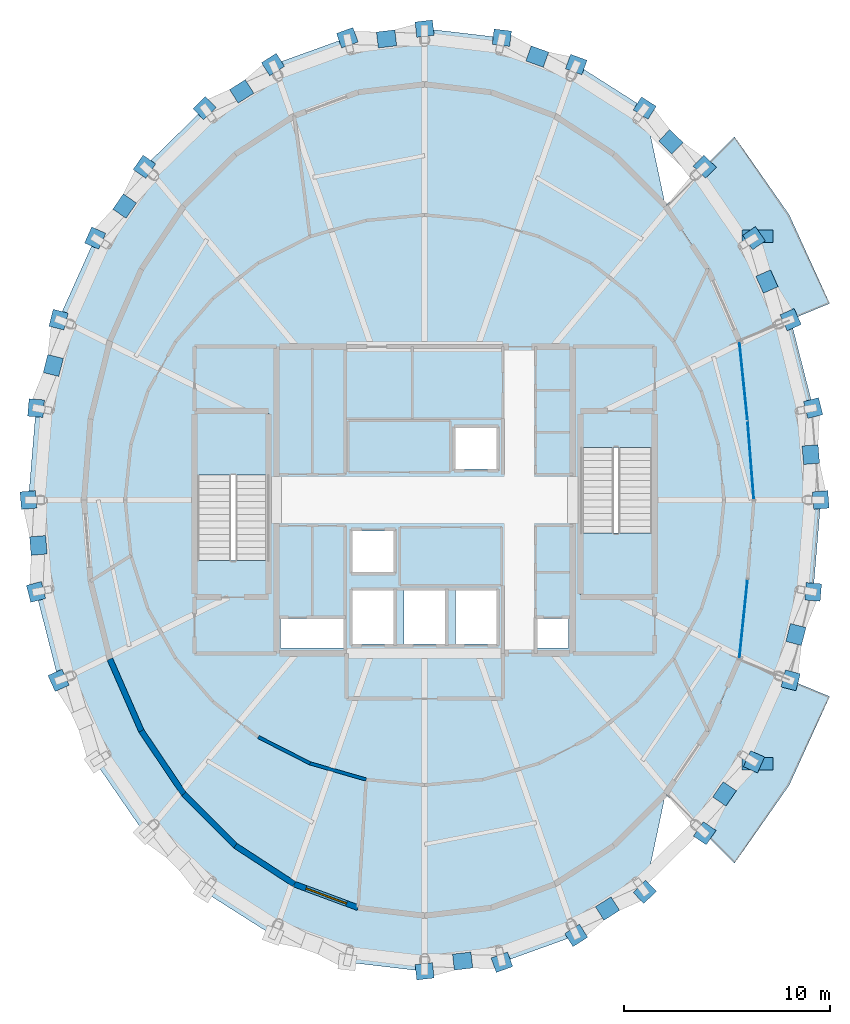
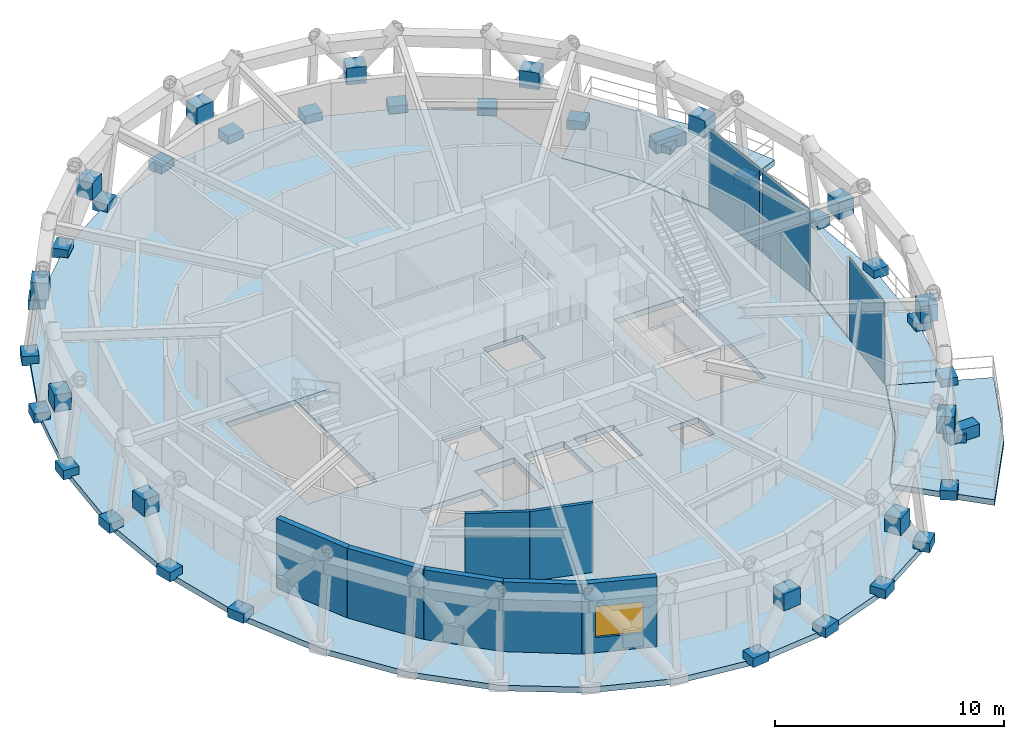
# One storey, part 6 of 11: 45 plates, 7 walls, 6 slabs, 1 window, 1 opening, 4 elements without a shape of their own.
"""IFC4 building model written with IfcOpenShell, lengths in metres."""

from ifc_helpers import new_model, si_unit, direction, frame, frame_2d, origin, origin_2d, place, context, subcontext, project, spatial, polyline, rectangle, outline, extrude, material, layer, layer_set, type_object, element, fill, aggregate, save


model = new_model("IFC4")

# Units and contexts
model_context = context("Model", 3, precision=1e-05, world=origin(), true_north=direction((0.0, 1.0)))
body_context = subcontext(model_context, "Body", "Model", "MODEL_VIEW")
ifc_project = project(units=[si_unit("LENGTHUNIT", "METRE"), si_unit("AREAUNIT", "SQUARE_METRE"), si_unit("VOLUMEUNIT", "CUBIC_METRE"), si_unit("PLANEANGLEUNIT", "RADIAN"), si_unit("MASSUNIT", "GRAM", prefix="KILO")], contexts=[model_context])

# Site, building, storey
site_placement = place(None, origin())
site = spatial("IfcSite", under=ifc_project, at=site_placement, CompositionType="ELEMENT")
building_placement = place(site_placement, origin())
building = spatial("IfcBuilding", under=site, at=building_placement, Name="Veldorina Hangang Commons", CompositionType="ELEMENT")
storey_placement = place(building_placement, frame((0.0, 0.0, 297.60009765625)))
storey = spatial("IfcBuildingStorey", under=building, at=storey_placement, Name="L78", CompositionType="ELEMENT", Elevation=297.60009765625)

# Curtain wall, plates
ifc_material_1 = material(Name="Glass Acoustic Laminated", Category="glass")
ifc_layer_1 = layer(ifc_material_1, 0.179931640625)
ifc_layer_set_1 = layer_set([ifc_layer_1], Name="Glass Acoustic Laminated")
curtain_wall_type = type_object("IfcCurtainWallType", Name="CW-SYS-SKY", PredefinedType="NOTDEFINED", material=ifc_layer_set_1)
curtain_wall_1_placement = place(storey_placement, origin())
curtain_wall_1 = element("IfcCurtainWall", 1, at=curtain_wall_1_placement, inside=storey, type_object=curtain_wall_type, Name="L78 unitised curtain wall CW-L78-R1", PredefinedType="NOTDEFINED")
ifc_material_2 = material(Name="Glass Low-E Triple IGU", Category="glass")
ifc_layer_2 = layer(ifc_material_2, 0.0400390625)
ifc_layer_set_2 = layer_set([ifc_layer_2], Name="Glass Low-E Triple IGU")
plate_type_1 = type_object("IfcPlateType", Name="CW-PNL-VIS", PredefinedType="CURTAIN_PANEL", material=ifc_layer_set_2)
plate_1_placement = place(storey_placement, frame((47.84619140625, 25.916748046875, 0.014892578125), z_axis=(0.0, 0.0, 1.0), x_axis=(-0.079937965483, 0.996799840326, 0.0)))
plate_1 = element("IfcPlate", 2, at=plate_1_placement, type_object=plate_type_1, Name="CW-L78-R1 facet 1 glazed vision panel", PredefinedType="CURTAIN_PANEL", context=body_context, shape_type="SweptSolid", body=[
    extrude(rectangle(XDim=3.665771484375, YDim=0.0400390625, at=origin_2d()), origin(), (0.0, 0.0, 1.0), 4.3701171875),
])
plate_2_placement = place(storey_placement, frame((47.491455078125, 29.78173828125, 0.014892578125), z_axis=(0.0, 0.0, 1.0), x_axis=(-0.10272309318, 0.994709990966, 0.0)))
plate_2 = element("IfcPlate", 3, at=plate_2_placement, type_object=plate_type_1, Name="CW-L78-R1 facet 2 glazed vision panel", PredefinedType="CURTAIN_PANEL", context=body_context, shape_type="SweptSolid", body=[
    extrude(rectangle(XDim=3.7373046875, YDim=0.0400390625, at=origin_2d()), origin(), (0.0, 0.0, 1.0), 4.3701171875),
])
aggregate(curtain_wall_1, [plate_1, plate_2])

# Curtain wall, plate
curtain_wall_2_placement = place(storey_placement, origin())
curtain_wall_2 = element("IfcCurtainWall", 4, at=curtain_wall_2_placement, inside=storey, type_object=curtain_wall_type, Name="L78 unitised curtain wall CW-L78-R2", PredefinedType="NOTDEFINED")
plate_3_placement = place(storey_placement, frame((47.491455078125, 18.21826171875, 0.014892578125), z_axis=(0.0, 0.0, 1.0), x_axis=(0.10272309318, 0.994709990966, 0.0)))
plate_3 = element("IfcPlate", 5, at=plate_3_placement, type_object=plate_type_1, Name="CW-L78-R2 facet 1 glazed vision panel", PredefinedType="CURTAIN_PANEL", context=body_context, shape_type="SweptSolid", body=[
    extrude(rectangle(XDim=3.7373046875, YDim=0.0400390625, at=origin_2d()), origin(), (0.0, 0.0, 1.0), 4.3701171875),
])
aggregate(curtain_wall_2, [plate_3])

# Plates
ifc_material_3 = material(Name="Steel SM460-TMC", Category="steel")
ifc_layer_3 = layer(ifc_material_3, 0.035888671875)
ifc_layer_set_3 = layer_set([ifc_layer_3], Name="Steel SM460-TMC")
plate_type_2 = type_object("IfcPlateType", Name="PL-STAR-36", PredefinedType="USERDEFINED", material=ifc_layer_set_3)
plate_4_placement = place(storey_placement, frame((51.25, 24.0, -0.090087890625), z_axis=(0.0, 0.0, 1.0), x_axis=(-0.082512516935, 0.996590028321, 0.0)))
element("IfcPlate", 6, at=plate_4_placement, inside=storey, type_object=plate_type_2, Name="L78 diagrid star-node gusset plate 00", ObjectType="GUSSET PLATE", PredefinedType="USERDEFINED", context=body_context, shape_type="SweptSolid", body=[
    extrude(rectangle(XDim=0.85009765625, YDim=0.75, at=origin_2d()), origin(), (0.0, 0.0, 1.0), 0.5),
])
plate_5_placement = place(storey_placement, frame((50.764892578125, 26.206787109375, 1.979248046875), z_axis=(0.0, 0.0, 1.0), x_axis=(-0.082512516935, 0.996590028321, 0.0)))
element("IfcPlate", 7, at=plate_5_placement, inside=storey, type_object=plate_type_2, Name="L78 diagrid X-crossing star-node gusset plate 00", ObjectType="GUSSET PLATE", PredefinedType="USERDEFINED", context=body_context, shape_type="SweptSolid", body=[
    extrude(rectangle(XDim=0.89990234375, YDim=0.780029296875, at=origin_2d()), origin(), (0.0, 0.0, 1.0), 0.89990234375),
])
for number, where, z_axis, x_axis, name in (
    (8, (50.880126953125, 28.467529296875, -0.090087890625), (0.0, 0.0, 1.0), (-0.247083574357, 0.968994172987, 0.0), "L78 diagrid star-node gusset plate 01"),
    (9, (49.78466796875, 32.763427734375, -0.090087890625), (0.0, 0.0, 1.0), (-0.409843434785, 0.912155885232, 0.0), "L78 diagrid star-node gusset plate 02"),
):
    element("IfcPlate", number, at=place(storey_placement, frame(where, z_axis=z_axis, x_axis=x_axis)), inside=storey, type_object=plate_type_2, Name=name, ObjectType="GUSSET PLATE", PredefinedType="USERDEFINED", context=body_context, shape_type="SweptSolid", body=[
        extrude(rectangle(XDim=0.85009765625, YDim=0.75, at=origin_2d()), origin(), (0.0, 0.0, 1.0), 0.5),
    ])
plate_6_placement = place(storey_placement, frame((48.63134765625, 34.613525390625, 1.98046875), z_axis=(0.0, 0.0, 1.0), x_axis=(-0.409843434785, 0.912155885232, 0.0)))
element("IfcPlate", 10, at=plate_6_placement, inside=storey, type_object=plate_type_2, Name="L78 diagrid X-crossing star-node gusset plate 02", ObjectType="GUSSET PLATE", PredefinedType="USERDEFINED", context=body_context, shape_type="SweptSolid", body=[
    extrude(rectangle(XDim=0.89990234375, YDim=0.780029296875, at=origin_2d()), origin(), (0.0, 0.0, 1.0), 0.89990234375),
])
for number, where, z_axis, x_axis, name in (
    (11, (48.005859375, 36.72265625, -0.090087890625), (0.0, 0.0, 1.0), (-0.567872477587, 0.823116546547, 0.0), "L78 diagrid star-node gusset plate 03"),
    (12, (45.61181640625, 40.192626953125, -0.090087890625), (0.0, 0.0, 1.0), (-0.715534249881, 0.698577652983, 0.0), "L78 diagrid star-node gusset plate 04"),
):
    element("IfcPlate", number, at=place(storey_placement, frame(where, z_axis=z_axis, x_axis=x_axis)), inside=storey, type_object=plate_type_2, Name=name, ObjectType="GUSSET PLATE", PredefinedType="USERDEFINED", context=body_context, shape_type="SweptSolid", body=[
        extrude(rectangle(XDim=0.85009765625, YDim=0.75, at=origin_2d()), origin(), (0.0, 0.0, 1.0), 0.5),
    ])
plate_7_placement = place(storey_placement, frame((43.9638671875, 41.40478515625, 1.983642578125), z_axis=(0.0, 0.0, 1.0), x_axis=(-0.715534249881, 0.698577652983, 0.0)))
element("IfcPlate", 13, at=plate_7_placement, inside=storey, type_object=plate_type_2, Name="L78 diagrid X-crossing star-node gusset plate 04", ObjectType="GUSSET PLATE", PredefinedType="USERDEFINED", context=body_context, shape_type="SweptSolid", body=[
    extrude(rectangle(XDim=0.89990234375, YDim=0.780029296875, at=origin_2d()), origin(), (0.0, 0.0, 1.0), 0.89990234375),
])
for number, where, z_axis, x_axis, name in (
    (14, (42.694580078125, 43.040771484375, -0.090087890625), (0.0, 0.0, 1.0), (-0.843860006976, 0.536563405971, 0.0), "L78 diagrid star-node gusset plate 05"),
    (15, (39.36669921875, 45.15673828125, -0.090087890625), (0.0, 0.0, 1.0), (-0.940626284052, 0.339443947877, 0.0), "L78 diagrid star-node gusset plate 06"),
):
    element("IfcPlate", number, at=place(storey_placement, frame(where, z_axis=z_axis, x_axis=x_axis)), inside=storey, type_object=plate_type_2, Name=name, ObjectType="GUSSET PLATE", PredefinedType="USERDEFINED", context=body_context, shape_type="SweptSolid", body=[
        extrude(rectangle(XDim=0.85009765625, YDim=0.75, at=origin_2d()), origin(), (0.0, 0.0, 1.0), 0.5),
    ])
plate_8_placement = place(storey_placement, frame((37.473876953125, 45.544677734375, 1.987060546875), z_axis=(0.0, 0.0, 1.0), x_axis=(-0.940626284052, 0.339443947877, 0.0)))
element("IfcPlate", 16, at=plate_8_placement, inside=storey, type_object=plate_type_2, Name="L78 diagrid X-crossing star-node gusset plate 06", ObjectType="GUSSET PLATE", PredefinedType="USERDEFINED", context=body_context, shape_type="SweptSolid", body=[
    extrude(rectangle(XDim=0.89990234375, YDim=0.780029296875, at=origin_2d()), origin(), (0.0, 0.0, 1.0), 0.89990234375),
])
for number, where, z_axis, x_axis, name in (
    (17, (35.755615234375, 46.4599609375, -0.090087890625), (0.0, 0.0, 1.0), (-0.99320725372, 0.116358717585, 0.0), "L78 diagrid star-node gusset plate 07"),
    (18, (32.0, 46.89990234375, -0.090087890625), (0.0, 0.0, 1.0), (-0.99320725372, -0.116358717585, 0.0), "L78 diagrid star-node gusset plate 08"),
):
    element("IfcPlate", number, at=place(storey_placement, frame(where, z_axis=z_axis, x_axis=x_axis)), inside=storey, type_object=plate_type_2, Name=name, ObjectType="GUSSET PLATE", PredefinedType="USERDEFINED", context=body_context, shape_type="SweptSolid", body=[
        extrude(rectangle(XDim=0.85009765625, YDim=0.75, at=origin_2d()), origin(), (0.0, 0.0, 1.0), 0.5),
    ])
plate_9_placement = place(storey_placement, frame((30.152099609375, 46.402587890625, 1.98779296875), z_axis=(0.0, 0.0, 1.0), x_axis=(-0.99320725372, -0.116358717585, 0.0)))
element("IfcPlate", 19, at=plate_9_placement, inside=storey, type_object=plate_type_2, Name="L78 diagrid X-crossing star-node gusset plate 08", ObjectType="GUSSET PLATE", PredefinedType="USERDEFINED", context=body_context, shape_type="SweptSolid", body=[
    extrude(rectangle(XDim=0.89990234375, YDim=0.780029296875, at=origin_2d()), origin(), (0.0, 0.0, 1.0), 0.89990234375),
])
for number, where, z_axis, x_axis, name in (
    (20, (28.244384765625, 46.4599609375, -0.090087890625), (0.0, 0.0, 1.0), (-0.940626284052, -0.339443947877, 0.0), "L78 diagrid star-node gusset plate 09"),
    (21, (24.63330078125, 45.15673828125, -0.090087890625), (0.0, 0.0, 1.0), (-0.843860006976, -0.536563405971, 0.0), "L78 diagrid star-node gusset plate 10"),
):
    element("IfcPlate", number, at=place(storey_placement, frame(where, z_axis=z_axis, x_axis=x_axis)), inside=storey, type_object=plate_type_2, Name=name, ObjectType="GUSSET PLATE", PredefinedType="USERDEFINED", context=body_context, shape_type="SweptSolid", body=[
        extrude(rectangle(XDim=0.85009765625, YDim=0.75, at=origin_2d()), origin(), (0.0, 0.0, 1.0), 0.5),
    ])
plate_10_placement = place(storey_placement, frame((23.114013671875, 43.85107421875, 1.9853515625), z_axis=(0.0, 0.0, 1.0), x_axis=(-0.843860006976, -0.536563405971, 0.0)))
element("IfcPlate", 22, at=plate_10_placement, inside=storey, type_object=plate_type_2, Name="L78 diagrid X-crossing star-node gusset plate 10", ObjectType="GUSSET PLATE", PredefinedType="USERDEFINED", context=body_context, shape_type="SweptSolid", body=[
    extrude(rectangle(XDim=0.89990234375, YDim=0.780029296875, at=origin_2d()), origin(), (0.0, 0.0, 1.0), 0.89990234375),
])
for number, where, z_axis, x_axis, name in (
    (23, (21.305419921875, 43.040771484375, -0.090087890625), (0.0, 0.0, 1.0), (-0.715534249881, -0.698577652983, 0.0), "L78 diagrid star-node gusset plate 11"),
    (24, (18.38818359375, 40.192626953125, -0.090087890625), (0.0, 0.0, 1.0), (-0.567872477587, -0.823116546547, 0.0), "L78 diagrid star-node gusset plate 12"),
):
    element("IfcPlate", number, at=place(storey_placement, frame(where, z_axis=z_axis, x_axis=x_axis)), inside=storey, type_object=plate_type_2, Name=name, ObjectType="GUSSET PLATE", PredefinedType="USERDEFINED", context=body_context, shape_type="SweptSolid", body=[
        extrude(rectangle(XDim=0.85009765625, YDim=0.75, at=origin_2d()), origin(), (0.0, 0.0, 1.0), 0.5),
    ])
plate_11_placement = place(storey_placement, frame((17.427978515625, 38.27978515625, 1.98193359375), z_axis=(0.0, 0.0, 1.0), x_axis=(-0.567872477587, -0.823116546547, 0.0)))
element("IfcPlate", 25, at=plate_11_placement, inside=storey, type_object=plate_type_2, Name="L78 diagrid X-crossing star-node gusset plate 12", ObjectType="GUSSET PLATE", PredefinedType="USERDEFINED", context=body_context, shape_type="SweptSolid", body=[
    extrude(rectangle(XDim=0.89990234375, YDim=0.780029296875, at=origin_2d()), origin(), (0.0, 0.0, 1.0), 0.89990234375),
])
for number, where, z_axis, x_axis, name in (
    (26, (15.994140625, 36.72265625, -0.090087890625), (0.0, 0.0, 1.0), (-0.409843434785, -0.912155885232, 0.0), "L78 diagrid star-node gusset plate 13"),
    (27, (14.21533203125, 32.763427734375, -0.090087890625), (0.0, 0.0, 1.0), (-0.247083574357, -0.968994172987, 0.0), "L78 diagrid star-node gusset plate 14"),
):
    element("IfcPlate", number, at=place(storey_placement, frame(where, z_axis=z_axis, x_axis=x_axis)), inside=storey, type_object=plate_type_2, Name=name, ObjectType="GUSSET PLATE", PredefinedType="USERDEFINED", context=body_context, shape_type="SweptSolid", body=[
        extrude(rectangle(XDim=0.85009765625, YDim=0.75, at=origin_2d()), origin(), (0.0, 0.0, 1.0), 0.5),
    ])
plate_12_placement = place(storey_placement, frame((13.958740234375, 30.53466796875, 1.979736328125), z_axis=(0.0, 0.0, 1.0), x_axis=(-0.247083574357, -0.968994172987, 0.0)))
element("IfcPlate", 28, at=plate_12_placement, inside=storey, type_object=plate_type_2, Name="L78 diagrid X-crossing star-node gusset plate 14", ObjectType="GUSSET PLATE", PredefinedType="USERDEFINED", context=body_context, shape_type="SweptSolid", body=[
    extrude(rectangle(XDim=0.89990234375, YDim=0.780029296875, at=origin_2d()), origin(), (0.0, 0.0, 1.0), 0.89990234375),
])
for number, where, z_axis, x_axis, name in (
    (29, (13.119873046875, 28.467529296875, -0.090087890625), (0.0, 0.0, 1.0), (-0.082512516935, -0.996590028321, 0.0), "L78 diagrid star-node gusset plate 15"),
    (30, (12.75, 24.0, -0.090087890625), (0.0, 0.0, 1.0), (0.082512516935, -0.996590028321, 0.0), "L78 diagrid star-node gusset plate 16"),
):
    element("IfcPlate", number, at=place(storey_placement, frame(where, z_axis=z_axis, x_axis=x_axis)), inside=storey, type_object=plate_type_2, Name=name, ObjectType="GUSSET PLATE", PredefinedType="USERDEFINED", context=body_context, shape_type="SweptSolid", body=[
        extrude(rectangle(XDim=0.85009765625, YDim=0.75, at=origin_2d()), origin(), (0.0, 0.0, 1.0), 0.5),
    ])
plate_13_placement = place(storey_placement, frame((13.235107421875, 21.793212890625, 1.979248046875), z_axis=(0.0, 0.0, 1.0), x_axis=(0.082512516935, -0.996590028321, 0.0)))
element("IfcPlate", 31, at=plate_13_placement, inside=storey, type_object=plate_type_2, Name="L78 diagrid X-crossing star-node gusset plate 16", ObjectType="GUSSET PLATE", PredefinedType="USERDEFINED", context=body_context, shape_type="SweptSolid", body=[
    extrude(rectangle(XDim=0.89990234375, YDim=0.780029296875, at=origin_2d()), origin(), (0.0, 0.0, 1.0), 0.89990234375),
])
for number, where, z_axis, x_axis, name in (
    (32, (13.119873046875, 19.532470703125, -0.090087890625), (0.0, 0.0, 1.0), (0.247083574357, -0.968994172987, 0.0), "L78 diagrid star-node gusset plate 17"),
    (33, (14.21533203125, 15.236572265625, -0.090087890625), (0.0, 0.0, 1.0), (0.409843434785, -0.912155885232, 0.0), "L78 diagrid star-node gusset plate 18"),
    (34, (32.0, 1.10009765625, -0.090087890625), (0.0, 0.0, 1.0), (0.99320725372, 0.116358717585, 0.0), "L78 diagrid star-node gusset plate 24"),
):
    element("IfcPlate", number, at=place(storey_placement, frame(where, z_axis=z_axis, x_axis=x_axis)), inside=storey, type_object=plate_type_2, Name=name, ObjectType="GUSSET PLATE", PredefinedType="USERDEFINED", context=body_context, shape_type="SweptSolid", body=[
        extrude(rectangle(XDim=0.85009765625, YDim=0.75, at=origin_2d()), origin(), (0.0, 0.0, 1.0), 0.5),
    ])
plate_14_placement = place(storey_placement, frame((33.847900390625, 1.597412109375, 1.98779296875), z_axis=(0.0, 0.0, 1.0), x_axis=(0.99320725372, 0.116358717585, 0.0)))
element("IfcPlate", 35, at=plate_14_placement, inside=storey, type_object=plate_type_2, Name="L78 diagrid X-crossing star-node gusset plate 24", ObjectType="GUSSET PLATE", PredefinedType="USERDEFINED", context=body_context, shape_type="SweptSolid", body=[
    extrude(rectangle(XDim=0.89990234375, YDim=0.780029296875, at=origin_2d()), origin(), (0.0, 0.0, 1.0), 0.89990234375),
])
for number, where, z_axis, x_axis, name in (
    (36, (35.755615234375, 1.5400390625, -0.090087890625), (0.0, 0.0, 1.0), (0.940626284052, 0.339443947877, 0.0), "L78 diagrid star-node gusset plate 25"),
    (37, (39.36669921875, 2.84326171875, -0.090087890625), (0.0, 0.0, 1.0), (0.843860006976, 0.536563405971, 0.0), "L78 diagrid star-node gusset plate 26"),
):
    element("IfcPlate", number, at=place(storey_placement, frame(where, z_axis=z_axis, x_axis=x_axis)), inside=storey, type_object=plate_type_2, Name=name, ObjectType="GUSSET PLATE", PredefinedType="USERDEFINED", context=body_context, shape_type="SweptSolid", body=[
        extrude(rectangle(XDim=0.85009765625, YDim=0.75, at=origin_2d()), origin(), (0.0, 0.0, 1.0), 0.5),
    ])
plate_15_placement = place(storey_placement, frame((40.885986328125, 4.14892578125, 1.9853515625), z_axis=(0.0, 0.0, 1.0), x_axis=(0.843860006976, 0.536563405971, 0.0)))
element("IfcPlate", 38, at=plate_15_placement, inside=storey, type_object=plate_type_2, Name="L78 diagrid X-crossing star-node gusset plate 26", ObjectType="GUSSET PLATE", PredefinedType="USERDEFINED", context=body_context, shape_type="SweptSolid", body=[
    extrude(rectangle(XDim=0.89990234375, YDim=0.780029296875, at=origin_2d()), origin(), (0.0, 0.0, 1.0), 0.89990234375),
])
for number, where, z_axis, x_axis, name in (
    (39, (42.694580078125, 4.959228515625, -0.090087890625), (0.0, 0.0, 1.0), (0.715534249881, 0.698577652983, 0.0), "L78 diagrid star-node gusset plate 27"),
    (40, (45.61181640625, 7.807373046875, -0.090087890625), (0.0, 0.0, 1.0), (0.567872477587, 0.823116546547, 0.0), "L78 diagrid star-node gusset plate 28"),
):
    element("IfcPlate", number, at=place(storey_placement, frame(where, z_axis=z_axis, x_axis=x_axis)), inside=storey, type_object=plate_type_2, Name=name, ObjectType="GUSSET PLATE", PredefinedType="USERDEFINED", context=body_context, shape_type="SweptSolid", body=[
        extrude(rectangle(XDim=0.85009765625, YDim=0.75, at=origin_2d()), origin(), (0.0, 0.0, 1.0), 0.5),
    ])
plate_16_placement = place(storey_placement, frame((46.572021484375, 9.72021484375, 1.98193359375), z_axis=(0.0, 0.0, 1.0), x_axis=(0.567872477587, 0.823116546547, 0.0)))
element("IfcPlate", 41, at=plate_16_placement, inside=storey, type_object=plate_type_2, Name="L78 diagrid X-crossing star-node gusset plate 28", ObjectType="GUSSET PLATE", PredefinedType="USERDEFINED", context=body_context, shape_type="SweptSolid", body=[
    extrude(rectangle(XDim=0.89990234375, YDim=0.780029296875, at=origin_2d()), origin(), (0.0, 0.0, 1.0), 0.89990234375),
])
for number, where, z_axis, x_axis, name in (
    (42, (48.005859375, 11.27734375, -0.090087890625), (0.0, 0.0, 1.0), (0.409843434785, 0.912155885232, 0.0), "L78 diagrid star-node gusset plate 29"),
    (43, (49.78466796875, 15.236572265625, -0.090087890625), (0.0, 0.0, 1.0), (0.247083574357, 0.968994172987, 0.0), "L78 diagrid star-node gusset plate 30"),
):
    element("IfcPlate", number, at=place(storey_placement, frame(where, z_axis=z_axis, x_axis=x_axis)), inside=storey, type_object=plate_type_2, Name=name, ObjectType="GUSSET PLATE", PredefinedType="USERDEFINED", context=body_context, shape_type="SweptSolid", body=[
        extrude(rectangle(XDim=0.85009765625, YDim=0.75, at=origin_2d()), origin(), (0.0, 0.0, 1.0), 0.5),
    ])
plate_17_placement = place(storey_placement, frame((50.041259765625, 17.46533203125, 1.979736328125), z_axis=(0.0, 0.0, 1.0), x_axis=(0.247083574357, 0.968994172987, 0.0)))
element("IfcPlate", 44, at=plate_17_placement, inside=storey, type_object=plate_type_2, Name="L78 diagrid X-crossing star-node gusset plate 30", ObjectType="GUSSET PLATE", PredefinedType="USERDEFINED", context=body_context, shape_type="SweptSolid", body=[
    extrude(rectangle(XDim=0.89990234375, YDim=0.780029296875, at=origin_2d()), origin(), (0.0, 0.0, 1.0), 0.89990234375),
])
plate_18_placement = place(storey_placement, frame((50.880126953125, 19.532470703125, -0.090087890625), z_axis=(0.0, 0.0, 1.0), x_axis=(0.082512516935, 0.996590028321, 0.0)))
element("IfcPlate", 45, at=plate_18_placement, inside=storey, type_object=plate_type_2, Name="L78 diagrid star-node gusset plate 31", ObjectType="GUSSET PLATE", PredefinedType="USERDEFINED", context=body_context, shape_type="SweptSolid", body=[
    extrude(rectangle(XDim=0.85009765625, YDim=0.75, at=origin_2d()), origin(), (0.0, 0.0, 1.0), 0.5),
])
ifc_material_4 = material(Name="Stone Roman Travertine", Category="masonry")
ifc_layer_4 = layer(ifc_material_4, 0.64990234375)
ifc_layer_set_4 = layer_set([ifc_layer_4], Name="Stone Roman Travertine")
plate_type_3 = type_object("IfcPlateType", Name="PLN-TBAL-1800", PredefinedType="USERDEFINED", material=ifc_layer_set_4)
for number, where, z_axis, x_axis, name in (
    (46, (48.172607421875, 11.19189453125, 0.0), (0.0, 0.0, 1.0), (1.0, 0.0, 0.0), "L78 TREE BALCONY PLANTER 1"),
    (47, (48.172607421875, 36.80810546875, 0.0), (0.0, 0.0, 1.0), (1.0, 0.0, 0.0), "L78 TREE BALCONY PLANTER 2"),
):
    element("IfcPlate", number, at=place(storey_placement, frame(where, z_axis=z_axis, x_axis=x_axis)), inside=storey, type_object=plate_type_3, Name=name, ObjectType="PLANTER", PredefinedType="USERDEFINED", context=body_context, shape_type="SweptSolid", body=[
        extrude(rectangle(XDim=1.5, YDim=0.60009765625, at=origin_2d()), origin(), (0.0, 0.0, 1.0), 0.64990234375),
    ])

# Slabs
ifc_material_5 = material(Name="Concrete C45/55", Category="concrete")
ifc_layer_5 = layer(ifc_material_5, 0.300048828125)
ifc_layer_set_5 = layer_set([ifc_layer_5], Name="Concrete C45/55")
slab_type_1 = type_object("IfcSlabType", Name="SL-FLR-300", PredefinedType="FLOOR", material=ifc_layer_set_5)
slab_1_placement = place(storey_placement, frame((0.0, 0.0, -0.300048828125)))
element("IfcSlab", 48, at=slab_1_placement, inside=storey, type_object=slab_type_1, Name="L78 tower structural floor slab", PredefinedType="FLOOR", context=body_context, shape_type="SweptSolid", body=[
    extrude(outline(polyline([(48.0, 24.0), (47.692626953125, 27.83349609375), (47.290283203125, 31.730224609375), (45.7607421875, 35.222412109375), (43.70263671875, 38.28369140625), (42.694580078125, 43.040771484375), (39.36669921875, 45.15673828125), (35.755615234375, 46.4599609375), (32.0, 46.89990234375), (28.244384765625, 46.4599609375), (24.63330078125, 45.15673828125), (21.305419921875, 43.040771484375), (18.38818359375, 40.192626953125), (15.994140625, 36.72265625), (14.21533203125, 32.763427734375), (13.119873046875, 28.467529296875), (12.75, 24.0), (13.119873046875, 19.532470703125), (14.21533203125, 15.236572265625), (15.994140625, 11.27734375), (18.38818359375, 7.807373046875), (21.305419921875, 4.959228515625), (24.63330078125, 2.84326171875), (28.244384765625, 1.5400390625), (32.0, 1.10009765625), (35.755615234375, 1.5400390625), (39.36669921875, 2.84326171875), (42.694580078125, 4.959228515625), (43.70263671875, 9.71630859375), (45.7607421875, 12.777587890625), (47.290283203125, 16.269775390625), (47.692626953125, 20.16650390625), (48.0, 24.0)]), holes=[polyline([(20.949951171875, 21.05810546875), (20.949951171875, 28.199951171875), (24.449951171875, 28.199951171875), (24.449951171875, 21.05810546875), (20.949951171875, 21.05810546875)]), polyline([(43.050048828125, 26.5419921875), (43.050048828125, 19.39990234375), (39.550048828125, 19.39990234375), (39.550048828125, 26.5419921875), (43.050048828125, 26.5419921875)]), polyline([(33.5, 27.5), (35.5, 27.5), (35.5, 25.5), (33.5, 25.5), (33.5, 27.5)]), polyline([(28.5, 22.5), (30.5, 22.5), (30.5, 20.5), (28.5, 20.5), (28.5, 22.5)]), polyline([(28.5, 19.60009765625), (30.5, 19.60009765625), (30.5, 17.0), (28.5, 17.0), (28.5, 19.60009765625)]), polyline([(31.0, 19.60009765625), (33.0, 19.60009765625), (33.0, 17.0), (31.0, 17.0), (31.0, 19.60009765625)]), polyline([(33.5, 19.60009765625), (35.5, 19.60009765625), (35.5, 17.0), (33.5, 17.0), (33.5, 19.60009765625)]), polyline([(25.0, 18.25), (28.10009765625, 18.25), (28.10009765625, 16.800048828125), (25.0, 16.800048828125), (25.0, 18.25)]), polyline([(37.449951171875, 18.25), (39.0, 18.25), (39.0, 16.800048828125), (37.449951171875, 16.800048828125), (37.449951171875, 18.25)])]), origin(), (0.0, 0.0, 1.0), 0.300048828125),
])
slab_2_placement = place(storey_placement, frame((0.0, 0.0, -0.300048828125)))
element("IfcSlab", 49, at=slab_2_placement, inside=storey, type_object=slab_type_1, Name="L78 sky-garden loggia outdoor slab", PredefinedType="FLOOR", context=body_context, shape_type="SweptSolid", body=[
    extrude(outline(polyline([(49.78466796875, 32.763427734375), (50.880126953125, 28.467529296875), (51.25, 24.0), (50.880126953125, 19.532470703125), (49.78466796875, 15.236572265625), (47.303955078125, 16.26416015625), (47.304443359375, 16.26513671875), (47.304931640625, 16.2666015625), (47.30517578125, 16.268310546875), (47.70751953125, 20.1650390625), (47.70751953125, 20.165283203125), (48.014892578125, 23.998779296875), (48.014892578125, 24.0), (48.014892578125, 24.001220703125), (47.70751953125, 27.834716796875), (47.70751953125, 27.8349609375), (47.30517578125, 31.731689453125), (47.304931640625, 31.7333984375), (47.304443359375, 31.73486328125), (47.303955078125, 31.73583984375), (49.78466796875, 32.763427734375)])), origin(), (0.0, 0.0, 1.0), 0.300048828125),
])
slab_3_placement = place(storey_placement, frame((0.0, 0.0, -0.300048828125)))
element("IfcSlab", 50, at=slab_3_placement, inside=storey, type_object=slab_type_1, Name="L78 planted tree balcony slab 1", PredefinedType="FLOOR", context=body_context, shape_type="SweptSolid", body=[
    extrude(outline(polyline([(45.777587890625, 12.766357421875), (47.30859375, 16.26220703125), (51.6787109375, 14.451904296875), (49.710205078125, 10.138427734375), (47.061279296875, 6.357666015625), (43.716796875, 9.702392578125), (45.777587890625, 12.766357421875)])), origin(), (0.0, 0.0, 1.0), 0.300048828125),
])
slab_4_placement = place(storey_placement, frame((0.0, 0.0, -0.300048828125)))
element("IfcSlab", 51, at=slab_4_placement, inside=storey, type_object=slab_type_1, Name="L78 planted tree balcony slab 2", PredefinedType="FLOOR", context=body_context, shape_type="SweptSolid", body=[
    extrude(outline(polyline([(45.777587890625, 35.233642578125), (43.716796875, 38.297607421875), (47.061279296875, 41.642333984375), (49.710205078125, 37.861572265625), (51.6787109375, 33.548095703125), (47.30859375, 31.73779296875), (45.777587890625, 35.233642578125)])), origin(), (0.0, 0.0, 1.0), 0.300048828125),
])

# Stair, slab
ifc_material_6 = material(Name="Concrete C40/50", Category="concrete")
stair_type = type_object("IfcStairType", Name="STR-DOG-1650-28R", PredefinedType="HALF_TURN_STAIR", material=ifc_material_6)
stair_1_placement = place(storey_placement, origin())
stair_1 = element("IfcStair", 52, at=stair_1_placement, inside=storey, type_object=stair_type, Name="L78 Exit stair ST-1", PredefinedType="HALF_TURN_STAIR")
ifc_layer_6 = layer(ifc_material_6, 0.199951171875)
ifc_layer_set_6 = layer_set([ifc_layer_6], Name="Concrete C40/50")
slab_type_2 = type_object("IfcSlabType", Name="SL-LND-200", PredefinedType="LANDING", material=ifc_layer_set_6)
slab_5_placement = place(storey_placement, frame((0.0, 0.0, 2.199951171875)))
slab_5 = element("IfcSlab", 53, at=slab_5_placement, type_object=slab_type_2, Name="ST-1 landing 1", PredefinedType="LANDING", context=body_context, shape_type="SweptSolid", body=[
    extrude(outline(polyline([(24.449951171875, 25.2099609375), (24.449951171875, 28.199951171875), (20.949951171875, 28.199951171875), (20.949951171875, 25.2099609375), (24.449951171875, 25.2099609375)])), origin(), (0.0, 0.0, 1.0), 0.199951171875),
])
aggregate(stair_1, [slab_5])

stair_2_placement = place(storey_placement, origin())
stair_2 = element("IfcStair", 54, at=stair_2_placement, inside=storey, type_object=stair_type, Name="L78 Exit stair ST-2", PredefinedType="HALF_TURN_STAIR")
slab_6_placement = place(storey_placement, frame((0.0, 0.0, 2.199951171875)))
slab_6 = element("IfcSlab", 55, at=slab_6_placement, type_object=slab_type_2, Name="ST-2 landing 1", PredefinedType="LANDING", context=body_context, shape_type="SweptSolid", body=[
    extrude(outline(polyline([(39.550048828125, 22.389892578125), (39.550048828125, 19.39990234375), (43.050048828125, 19.39990234375), (43.050048828125, 22.389892578125), (39.550048828125, 22.389892578125)])), origin(), (0.0, 0.0, 1.0), 0.199951171875),
])
aggregate(stair_2, [slab_6])

# Walls
ifc_layer_7 = layer(ifc_material_4, 0.280029296875)
ifc_layer_set_7 = layer_set([ifc_layer_7], Name="Stone Roman Travertine")
wall_type_1 = type_object("IfcWallType", Name="EW-TRAV-280", PredefinedType="STANDARD", material=ifc_layer_set_7)
wall_1_placement = place(storey_placement, frame((16.709716796875, 16.269775390625, 0.0), z_axis=(0.0, 0.0, 1.0), x_axis=(0.401195046879, -0.91599264973, 0.0)))
element("IfcWall", 56, at=wall_1_placement, inside=storey, type_object=wall_type_1, Name="L78 travertine facade wall 18", PredefinedType="STANDARD", context=body_context, shape_type="SweptSolid", body=[
    extrude(rectangle(XDim=3.8125, YDim=0.280029296875, at=frame_2d((1.90625, 0.0))), origin(), (0.0, 0.0, 1.0), 3.7099609375),
])
wall_2_placement = place(storey_placement, frame((18.2392578125, 12.777587890625, 0.0), z_axis=(0.0, 0.0, 1.0), x_axis=(0.55793393731, -0.82988536654, 0.0)))
element("IfcWall", 57, at=wall_2_placement, inside=storey, type_object=wall_type_1, Name="L78 travertine facade wall 19", PredefinedType="STANDARD", context=body_context, shape_type="SweptSolid", body=[
    extrude(rectangle(XDim=3.688720703125, YDim=0.280029296875, at=frame_2d((1.84423828125, 0.0))), origin(), (0.0, 0.0, 1.0), 3.7099609375),
])
wall_3_placement = place(storey_placement, frame((20.29736328125, 9.71630859375, 0.0), z_axis=(0.0, 0.0, 1.0), x_axis=(0.706556343152, -0.707656791073, 0.0)))
element("IfcWall", 58, at=wall_3_placement, inside=storey, type_object=wall_type_1, Name="L78 travertine facade wall 20", PredefinedType="STANDARD", context=body_context, shape_type="SweptSolid", body=[
    extrude(rectangle(XDim=3.5498046875, YDim=0.280029296875, at=frame_2d((1.77490234375, 0.0))), origin(), (0.0, 0.0, 1.0), 3.7099609375),
])
wall_4_placement = place(storey_placement, frame((22.805419921875, 7.204345703125, 0.0), z_axis=(0.0, 0.0, 1.0), x_axis=(0.837506795295, -0.546426909875, 0.0)))
element("IfcWall", 59, at=wall_4_placement, inside=storey, type_object=wall_type_1, Name="L78 travertine facade wall 21", PredefinedType="STANDARD", context=body_context, shape_type="SweptSolid", body=[
    extrude(rectangle(XDim=3.416259765625, YDim=0.280029296875, at=frame_2d((1.7080078125, 0.0))), origin(), (0.0, 0.0, 1.0), 3.7099609375),
])

# Wall, opening, window
wall_5_placement = place(storey_placement, frame((25.66650390625, 5.337646484375, 0.0), z_axis=(0.0, 0.0, 1.0), x_axis=(0.937772775671, -0.347249508582, 0.0)))
wall_5 = element("IfcWall", 60, at=wall_5_placement, inside=storey, type_object=wall_type_1, Name="L78 travertine facade wall 22", PredefinedType="STANDARD", context=body_context, shape_type="SweptSolid", body=[
    extrude(rectangle(XDim=3.310791015625, YDim=0.280029296875, at=frame_2d((1.6552734375, 0.0))), origin(), (0.0, 0.0, 1.0), 3.7099609375),
])
opening_placement = place(wall_5_placement, frame((0.605224609375, 0.0, 0.800048828125)))
opening = element("IfcOpeningElement", 61, at=opening_placement, cuts=wall_5, Name="Opening W-03", PredefinedType="OPENING", context=body_context, shape_type="SweptSolid", body=[
    extrude(rectangle(XDim=2.10009765625, YDim=1.64990234375, at=frame_2d((1.050048828125, 0.824951171875))), frame((0.0, 0.14990234375, 0.0), z_axis=(0.0, -1.0, 0.0), x_axis=(1.0, 0.0, 0.0)), (0.0, 0.0, 1.0), 0.300048828125),
])
window_type = type_object("IfcWindowType", Name="WIN-TWR-2100", PartitioningType="SINGLE_PANEL", PredefinedType="WINDOW", material=ifc_material_2)
window_placement = place(opening_placement, origin())
window = element("IfcWindow", 62, at=window_placement, inside=storey, type_object=window_type, Name="L78 facade window 22", OverallHeight=1.64990234375, OverallWidth=2.10009765625, PartitioningType="SINGLE_PANEL", PredefinedType="WINDOW", context=body_context, shape_type="SweptSolid", body=[
    extrude(rectangle(XDim=2.10009765625, YDim=1.64990234375, at=frame_2d((1.050048828125, 0.824951171875))), frame((0.0, 0.030029296875, 0.0), z_axis=(0.0, -1.0, 0.0), x_axis=(1.0, 0.0, 0.0)), (0.0, 0.0, 1.0), 0.06005859375),
])
fill(opening, window)

# Walls
ifc_material_7 = material(Name="Gypsum Fire-Rated Twin Stud Wall", Category="gypsum")
ifc_layer_8 = layer(ifc_material_7, 0.159912109375)
ifc_layer_set_8 = layer_set([ifc_layer_8], Name="Gypsum Fire-Rated Twin Stud Wall")
wall_type_2 = type_object("IfcWallType", Name="WL-FIRE-160", PredefinedType="SOLIDWALL", material=ifc_layer_set_8)
wall_6_placement = place(storey_placement, frame((23.91650390625, 12.484130859375, 0.0), z_axis=(0.0, 0.0, 1.0), x_axis=(0.891273737135, -0.453465682817, 0.0)))
element("IfcWall", 63, at=wall_6_placement, inside=storey, type_object=wall_type_2, Name="L78 Sky gallery wall 21 077", PredefinedType="SOLIDWALL", context=body_context, shape_type="SweptSolid", body=[
    extrude(rectangle(XDim=2.822265625, YDim=0.159912109375, at=frame_2d((1.4111328125, 0.0))), origin(), (0.0, 0.0, 1.0), 3.7099609375),
])
wall_7_placement = place(storey_placement, frame((26.431884765625, 11.204345703125, 0.0), z_axis=(0.0, 0.0, 1.0), x_axis=(0.96073200199, -0.277477963723, 0.0)))
element("IfcWall", 64, at=wall_7_placement, inside=storey, type_object=wall_type_2, Name="L78 Sky gallery wall 22 078", PredefinedType="SOLIDWALL", context=body_context, shape_type="SweptSolid", body=[
    extrude(rectangle(XDim=2.841064453125, YDim=0.159912109375, at=frame_2d((1.42041015625, 0.0))), origin(), (0.0, 0.0, 1.0), 3.7099609375),
])

save(model, "model.ifc")
